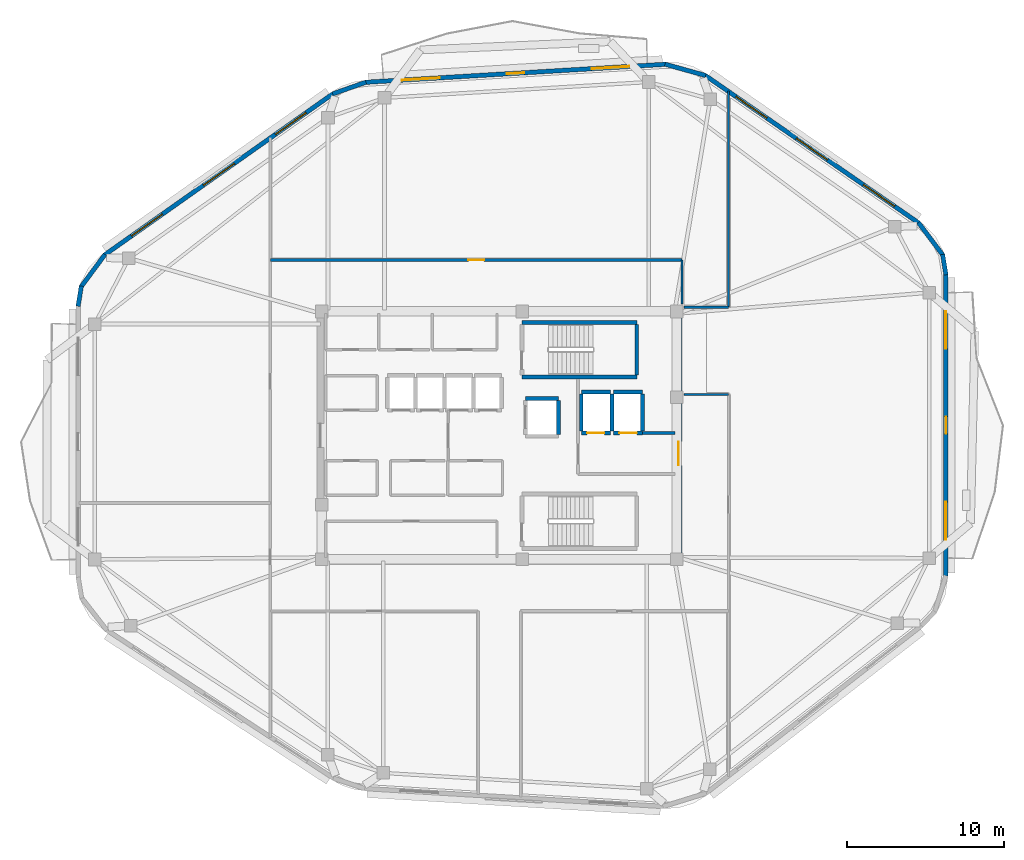
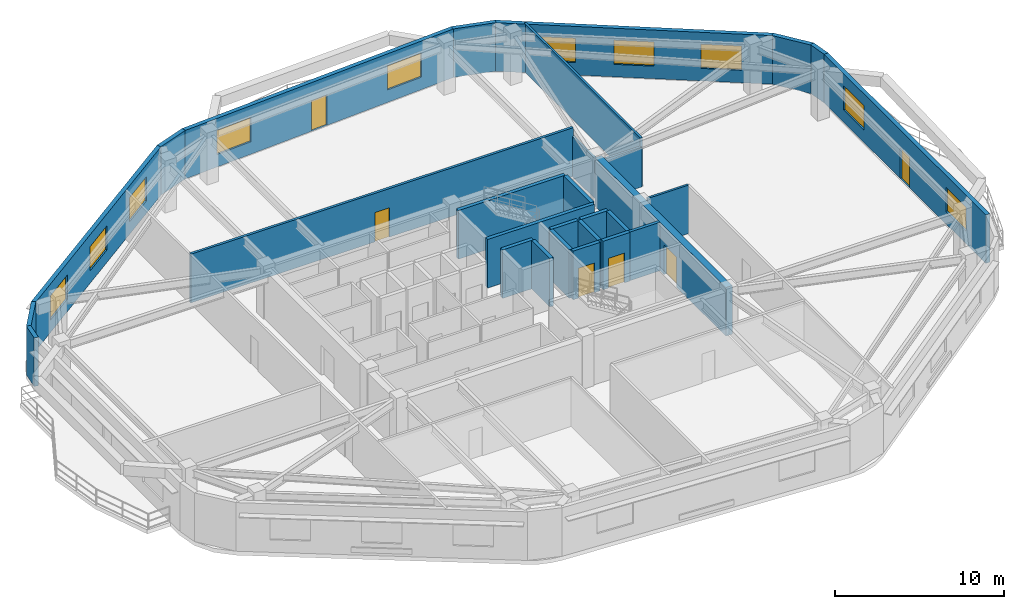
# One storey, part 5 of 9: 29 walls, 10 windows, 6 doors, 16 openings.
"""IFC4 building model written with IfcOpenShell, lengths in metres."""

from ifc_helpers import new_model, si_unit, direction, frame, frame_2d, origin, place, context, subcontext, project, spatial, rectangle, extrude, material, layer, layer_set, type_object, element, fill, save


model = new_model("IFC4")

# Units and contexts
model_context = context("Model", 3, precision=1e-05, world=origin(), true_north=direction((0.0, 1.0)))
body_context = subcontext(model_context, "Body", "Model", "MODEL_VIEW")
ifc_project = project(units=[si_unit("LENGTHUNIT", "METRE"), si_unit("AREAUNIT", "SQUARE_METRE"), si_unit("VOLUMEUNIT", "CUBIC_METRE"), si_unit("PLANEANGLEUNIT", "RADIAN"), si_unit("MASSUNIT", "GRAM", prefix="KILO")], contexts=[model_context])

# Site, building, storey
site_placement = place(None, origin())
site = spatial("IfcSite", under=ifc_project, at=site_placement, CompositionType="ELEMENT")
building_placement = place(site_placement, origin())
building = spatial("IfcBuilding", under=site, at=building_placement, Name="Zulverin Broadcast Headquarters", CompositionType="ELEMENT")
storey_placement = place(building_placement, frame((0.0, 0.0, 251.60009765625)))
storey = spatial("IfcBuildingStorey", under=building, at=storey_placement, Name="L64", CompositionType="ELEMENT", Elevation=251.60009765625)

# Wall, opening, door
ifc_material_1 = material(Name="Concrete C50/60", Category="concrete")
ifc_layer_1 = layer(ifc_material_1, 0.449951171875, Name="Concrete C50/60", Category="concrete")
ifc_layer_set_1 = layer_set([ifc_layer_1], Name="Concrete C50/60")
wall_type_1 = type_object("IfcWallType", Name="WL-CORE-450", PredefinedType="SHEAR", material=ifc_layer_set_1)
wall_1_placement = place(storey_placement, frame((48.375, 17.449951171875, 0.0), z_axis=(0.0, 0.0, 1.0), x_axis=(0.0, 1.0, 0.0)))
wall_1 = element("IfcWall", 1, at=wall_1_placement, inside=storey, type_object=wall_type_1, Name="L64 Core East Shear Wall", PredefinedType="SHEAR", context=body_context, shape_type="SweptSolid", body=[
    extrude(rectangle(XDim=15.5, YDim=0.449951171875, at=frame_2d((7.75, 0.0))), origin(), (0.0, 0.0, 1.0), 3.510009765625),
])
opening_1_placement = place(wall_1_placement, frame((5.85009765625, 0.0, 0.0)))
opening_1 = element("IfcOpeningElement", 2, at=opening_1_placement, cuts=wall_1, Name="Opening D-L64-CE1", PredefinedType="OPENING", context=body_context, shape_type="SweptSolid", body=[
    extrude(rectangle(XDim=1.5, YDim=2.14990234375, at=frame_2d((0.75, 1.074951171875))), frame((0.0, 0.23486328125, 0.0), z_axis=(0.0, -1.0, 0.0), x_axis=(1.0, 0.0, 0.0)), (0.0, 0.0, 1.0), 0.469970703125),
])
ifc_material_2 = material(Name="Fire-rated glazed steel frame", Category="steel")
door_type_1 = type_object("IfcDoorType", Name="DR-COR-1500", OperationType="DOUBLE_DOOR_SINGLE_SWING", PredefinedType="DOOR", material=ifc_material_2)
door_1_placement = place(opening_1_placement, origin())
door_1 = element("IfcDoor", 3, at=door_1_placement, inside=storey, type_object=door_type_1, Name="L64 Firefighting Lobby East Corridor Door", OperationType="DOUBLE_DOOR_SINGLE_SWING", OverallHeight=2.14990234375, OverallWidth=1.5, PredefinedType="DOOR", context=body_context, shape_type="SweptSolid", body=[
    extrude(rectangle(XDim=1.5, YDim=2.14990234375, at=frame_2d((0.75, 1.074951171875))), frame((0.0, 0.02490234375, 0.0), z_axis=(0.0, -1.0, 0.0), x_axis=(1.0, 0.0, 0.0)), (0.0, 0.0, 1.0), 0.050048828125),
])
fill(opening_1, door_1)

# Wall, openings, door, windows
ifc_material_3 = material(Name="Insulated pale-metal clad concrete spandrel C40/50", Category="concrete")
ifc_layer_2 = layer(ifc_material_3, 0.280029296875, Name="Insulated pale-metal clad concrete spandrel C40/50", Category="concrete")
ifc_layer_set_2 = layer_set([ifc_layer_2], Name="Insulated pale-metal clad concrete spandrel C40/50")
wall_type_2 = type_object("IfcWallType", Name="WL-EXT-280", PredefinedType="STANDARD", material=ifc_layer_set_2)
wall_2_placement = place(storey_placement, frame((65.360107421875, 16.2578125, 0.0), z_axis=(0.0, 0.0, 1.0), x_axis=(0.0, 1.0, 0.0)))
wall_2 = element("IfcWall", 4, at=wall_2_placement, inside=storey, type_object=wall_type_2, Name="L64 Pale-Metal Clad Spandrel Wall 3", PredefinedType="STANDARD", context=body_context, shape_type="SweptSolid", body=[
    extrude(rectangle(XDim=19.16796875, YDim=0.280029296875, at=frame_2d((9.583984375, 0.0))), origin(), (0.0, 0.0, 1.0), 3.510009765625),
])
opening_2_placement = place(wall_2_placement, frame((9.033935546875, 0.0, 0.0)))
opening_2 = element("IfcOpeningElement", 5, at=opening_2_placement, cuts=wall_2, Name="Opening D-L64-TR3", PredefinedType="OPENING", context=body_context, shape_type="SweptSolid", body=[
    extrude(rectangle(XDim=1.10009765625, YDim=2.199951171875, at=frame_2d((0.550048828125, 1.10009765625))), frame((0.0, 0.14990234375, 0.0), z_axis=(0.0, -1.0, 0.0), x_axis=(1.0, 0.0, 0.0)), (0.0, 0.0, 1.0), 0.300048828125),
])
opening_3_placement = place(wall_2_placement, frame((2.327880859375, 0.0, 0.89990234375)))
opening_3 = element("IfcOpeningElement", 6, at=opening_3_placement, cuts=wall_2, Name="Opening W-L64-E31", PredefinedType="OPENING", context=body_context, shape_type="SweptSolid", body=[
    extrude(rectangle(XDim=2.39990234375, YDim=1.75, at=frame_2d((1.199951171875, 0.875))), frame((0.0, 0.14990234375, 0.0), z_axis=(0.0, -1.0, 0.0), x_axis=(1.0, 0.0, 0.0)), (0.0, 0.0, 1.0), 0.300048828125),
])
opening_4_placement = place(wall_2_placement, frame((14.43994140625, 0.0, 0.89990234375)))
opening_4 = element("IfcOpeningElement", 7, at=opening_4_placement, cuts=wall_2, Name="Opening W-L64-E32", PredefinedType="OPENING", context=body_context, shape_type="SweptSolid", body=[
    extrude(rectangle(XDim=2.39990234375, YDim=1.75, at=frame_2d((1.199951171875, 0.875))), frame((0.0, 0.14990234375, 0.0), z_axis=(0.0, -1.0, 0.0), x_axis=(1.0, 0.0, 0.0)), (0.0, 0.0, 1.0), 0.300048828125),
])
ifc_material_4 = material(Name="Thermally broken aluminium glazed", Category="aluminium")
door_type_2 = type_object("IfcDoorType", Name="DR-TERR-1100", OperationType="SINGLE_SWING_RIGHT", PredefinedType="DOOR", material=ifc_material_4)
door_2_placement = place(opening_2_placement, origin())
door_2 = element("IfcDoor", 8, at=door_2_placement, inside=storey, type_object=door_type_2, Name="L64 Planted Terrace Glazed Access Door 3", OperationType="SINGLE_SWING_RIGHT", OverallHeight=2.199951171875, OverallWidth=1.10009765625, PredefinedType="DOOR", context=body_context, shape_type="SweptSolid", body=[
    extrude(rectangle(XDim=1.10009765625, YDim=2.199951171875, at=frame_2d((0.550048828125, 1.10009765625))), frame((0.0, 0.02490234375, 0.0), z_axis=(0.0, -1.0, 0.0), x_axis=(1.0, 0.0, 0.0)), (0.0, 0.0, 1.0), 0.050048828125),
])
fill(opening_2, door_2)
ifc_material_5 = material(Name="Pale anodized aluminium frame with solar-control low-E double glazing", Category="aluminium")
window_type = type_object("IfcWindowType", Name="WIN-RIB-2400", PartitioningType="SINGLE_PANEL", PredefinedType="WINDOW", material=ifc_material_5)
window_1_placement = place(opening_3_placement, origin())
window_1 = element("IfcWindow", 9, at=window_1_placement, inside=storey, type_object=window_type, Name="L64 Ribbon Glazing Window 3 1", OverallHeight=1.75, OverallWidth=2.39990234375, PartitioningType="SINGLE_PANEL", PredefinedType="WINDOW", context=body_context, shape_type="SweptSolid", body=[
    extrude(rectangle(XDim=2.39990234375, YDim=1.75, at=frame_2d((1.199951171875, 0.875))), frame((0.0, 0.030029296875, 0.0), z_axis=(0.0, -1.0, 0.0), x_axis=(1.0, 0.0, 0.0)), (0.0, 0.0, 1.0), 0.06005859375),
])
fill(opening_3, window_1)
window_2_placement = place(opening_4_placement, origin())
window_2 = element("IfcWindow", 10, at=window_2_placement, inside=storey, type_object=window_type, Name="L64 Ribbon Glazing Window 3 2", OverallHeight=1.75, OverallWidth=2.39990234375, PartitioningType="SINGLE_PANEL", PredefinedType="WINDOW", context=body_context, shape_type="SweptSolid", body=[
    extrude(rectangle(XDim=2.39990234375, YDim=1.75, at=frame_2d((1.199951171875, 0.875))), frame((0.0, 0.030029296875, 0.0), z_axis=(0.0, -1.0, 0.0), x_axis=(1.0, 0.0, 0.0)), (0.0, 0.0, 1.0), 0.06005859375),
])
fill(opening_4, window_2)

# Wall, openings, windows
wall_3_placement = place(storey_placement, frame((63.6513671875, 38.683349609375, 0.0), z_axis=(0.0, 0.0, 1.0), x_axis=(-0.822655095, 0.568540759022, 0.0)))
wall_3 = element("IfcWall", 11, at=wall_3_placement, inside=storey, type_object=wall_type_2, Name="L64 Pale-Metal Clad Spandrel Wall 4", PredefinedType="STANDARD", context=body_context, shape_type="SweptSolid", body=[
    extrude(rectangle(XDim=16.52783203125, YDim=0.280029296875, at=frame_2d((8.263916015625, 0.0))), origin(), (0.0, 0.0, 1.0), 3.510009765625),
])
opening_5_placement = place(wall_3_placement, frame((1.887939453125, 0.0, 0.89990234375)))
opening_5 = element("IfcOpeningElement", 12, at=opening_5_placement, cuts=wall_3, Name="Opening W-L64-E41", PredefinedType="OPENING", context=body_context, shape_type="SweptSolid", body=[
    extrude(rectangle(XDim=2.39990234375, YDim=1.75, at=frame_2d((1.199951171875, 0.875))), frame((0.0, 0.14990234375, 0.0), z_axis=(0.0, -1.0, 0.0), x_axis=(1.0, 0.0, 0.0)), (0.0, 0.0, 1.0), 0.300048828125),
])
opening_6_placement = place(wall_3_placement, frame((7.06396484375, 0.0, 0.89990234375)))
opening_6 = element("IfcOpeningElement", 13, at=opening_6_placement, cuts=wall_3, Name="Opening W-L64-E42", PredefinedType="OPENING", context=body_context, shape_type="SweptSolid", body=[
    extrude(rectangle(XDim=2.39990234375, YDim=1.75, at=frame_2d((1.199951171875, 0.875))), frame((0.0, 0.14990234375, 0.0), z_axis=(0.0, -1.0, 0.0), x_axis=(1.0, 0.0, 0.0)), (0.0, 0.0, 1.0), 0.300048828125),
])
opening_7_placement = place(wall_3_placement, frame((11.739990234375, 0.0, 0.89990234375)))
opening_7 = element("IfcOpeningElement", 14, at=opening_7_placement, cuts=wall_3, Name="Opening W-L64-E43", PredefinedType="OPENING", context=body_context, shape_type="SweptSolid", body=[
    extrude(rectangle(XDim=2.39990234375, YDim=1.75, at=frame_2d((1.199951171875, 0.875))), frame((0.0, 0.14990234375, 0.0), z_axis=(0.0, -1.0, 0.0), x_axis=(1.0, 0.0, 0.0)), (0.0, 0.0, 1.0), 0.300048828125),
])
window_3_placement = place(opening_5_placement, origin())
window_3 = element("IfcWindow", 15, at=window_3_placement, inside=storey, type_object=window_type, Name="L64 Ribbon Glazing Window 4 1", OverallHeight=1.75, OverallWidth=2.39990234375, PartitioningType="SINGLE_PANEL", PredefinedType="WINDOW", context=body_context, shape_type="SweptSolid", body=[
    extrude(rectangle(XDim=2.39990234375, YDim=1.75, at=frame_2d((1.199951171875, 0.875))), frame((0.0, 0.030029296875, 0.0), z_axis=(0.0, -1.0, 0.0), x_axis=(1.0, 0.0, 0.0)), (0.0, 0.0, 1.0), 0.06005859375),
])
fill(opening_5, window_3)
window_4_placement = place(opening_6_placement, origin())
window_4 = element("IfcWindow", 16, at=window_4_placement, inside=storey, type_object=window_type, Name="L64 Ribbon Glazing Window 4 2", OverallHeight=1.75, OverallWidth=2.39990234375, PartitioningType="SINGLE_PANEL", PredefinedType="WINDOW", context=body_context, shape_type="SweptSolid", body=[
    extrude(rectangle(XDim=2.39990234375, YDim=1.75, at=frame_2d((1.199951171875, 0.875))), frame((0.0, 0.030029296875, 0.0), z_axis=(0.0, -1.0, 0.0), x_axis=(1.0, 0.0, 0.0)), (0.0, 0.0, 1.0), 0.06005859375),
])
fill(opening_6, window_4)
window_5_placement = place(opening_7_placement, origin())
window_5 = element("IfcWindow", 17, at=window_5_placement, inside=storey, type_object=window_type, Name="L64 Ribbon Glazing Window 4 3", OverallHeight=1.75, OverallWidth=2.39990234375, PartitioningType="SINGLE_PANEL", PredefinedType="WINDOW", context=body_context, shape_type="SweptSolid", body=[
    extrude(rectangle(XDim=2.39990234375, YDim=1.75, at=frame_2d((1.199951171875, 0.875))), frame((0.0, 0.030029296875, 0.0), z_axis=(0.0, -1.0, 0.0), x_axis=(1.0, 0.0, 0.0)), (0.0, 0.0, 1.0), 0.06005859375),
])
fill(opening_7, window_5)

# Wall, openings, door, windows
wall_4_placement = place(storey_placement, frame((47.56591796875, 48.775390625, 0.0), z_axis=(0.0, 0.0, 1.0), x_axis=(-0.998202767485, -0.059926913695, 0.0)))
wall_4 = element("IfcWall", 18, at=wall_4_placement, inside=storey, type_object=wall_type_2, Name="L64 Pale-Metal Clad Spandrel Wall 5", PredefinedType="STANDARD", context=body_context, shape_type="SweptSolid", body=[
    extrude(rectangle(XDim=19.111083984375, YDim=0.280029296875, at=frame_2d((9.5556640625, 0.0))), origin(), (0.0, 0.0, 1.0), 3.510009765625),
])
opening_8_placement = place(wall_4_placement, frame((9.00537109375, 0.0, 0.0)))
opening_8 = element("IfcOpeningElement", 19, at=opening_8_placement, cuts=wall_4, Name="Opening D-L64-TR5", PredefinedType="OPENING", context=body_context, shape_type="SweptSolid", body=[
    extrude(rectangle(XDim=1.10009765625, YDim=2.199951171875, at=frame_2d((0.550048828125, 1.10009765625))), frame((0.0, 0.14990234375, 0.0), z_axis=(0.0, -1.0, 0.0), x_axis=(1.0, 0.0, 0.0)), (0.0, 0.0, 1.0), 0.300048828125),
])
opening_9_placement = place(wall_4_placement, frame((2.318603515625, 0.0, 0.89990234375)))
opening_9 = element("IfcOpeningElement", 20, at=opening_9_placement, cuts=wall_4, Name="Opening W-L64-E51", PredefinedType="OPENING", context=body_context, shape_type="SweptSolid", body=[
    extrude(rectangle(XDim=2.39990234375, YDim=1.75, at=frame_2d((1.199951171875, 0.875))), frame((0.0, 0.14990234375, 0.0), z_axis=(0.0, -1.0, 0.0), x_axis=(1.0, 0.0, 0.0)), (0.0, 0.0, 1.0), 0.300048828125),
])
opening_10_placement = place(wall_4_placement, frame((14.392333984375, 0.0, 0.89990234375)))
opening_10 = element("IfcOpeningElement", 21, at=opening_10_placement, cuts=wall_4, Name="Opening W-L64-E52", PredefinedType="OPENING", context=body_context, shape_type="SweptSolid", body=[
    extrude(rectangle(XDim=2.39990234375, YDim=1.75, at=frame_2d((1.199951171875, 0.875))), frame((0.0, 0.14990234375, 0.0), z_axis=(0.0, -1.0, 0.0), x_axis=(1.0, 0.0, 0.0)), (0.0, 0.0, 1.0), 0.300048828125),
])
door_3_placement = place(opening_8_placement, origin())
door_3 = element("IfcDoor", 22, at=door_3_placement, inside=storey, type_object=door_type_2, Name="L64 Planted Terrace Glazed Access Door 5", OperationType="SINGLE_SWING_RIGHT", OverallHeight=2.199951171875, OverallWidth=1.10009765625, PredefinedType="DOOR", context=body_context, shape_type="SweptSolid", body=[
    extrude(rectangle(XDim=1.10009765625, YDim=2.199951171875, at=frame_2d((0.550048828125, 1.10009765625))), frame((0.0, 0.02490234375, 0.0), z_axis=(0.0, -1.0, 0.0), x_axis=(1.0, 0.0, 0.0)), (0.0, 0.0, 1.0), 0.050048828125),
])
fill(opening_8, door_3)
window_6_placement = place(opening_9_placement, origin())
window_6 = element("IfcWindow", 23, at=window_6_placement, inside=storey, type_object=window_type, Name="L64 Ribbon Glazing Window 5 1", OverallHeight=1.75, OverallWidth=2.39990234375, PartitioningType="SINGLE_PANEL", PredefinedType="WINDOW", context=body_context, shape_type="SweptSolid", body=[
    extrude(rectangle(XDim=2.39990234375, YDim=1.75, at=frame_2d((1.199951171875, 0.875))), frame((0.0, 0.030029296875, 0.0), z_axis=(0.0, -1.0, 0.0), x_axis=(1.0, 0.0, 0.0)), (0.0, 0.0, 1.0), 0.06005859375),
])
fill(opening_9, window_6)
window_7_placement = place(opening_10_placement, origin())
window_7 = element("IfcWindow", 24, at=window_7_placement, inside=storey, type_object=window_type, Name="L64 Ribbon Glazing Window 5 2", OverallHeight=1.75, OverallWidth=2.39990234375, PartitioningType="SINGLE_PANEL", PredefinedType="WINDOW", context=body_context, shape_type="SweptSolid", body=[
    extrude(rectangle(XDim=2.39990234375, YDim=1.75, at=frame_2d((1.199951171875, 0.875))), frame((0.0, 0.030029296875, 0.0), z_axis=(0.0, -1.0, 0.0), x_axis=(1.0, 0.0, 0.0)), (0.0, 0.0, 1.0), 0.06005859375),
])
fill(opening_10, window_7)

# Wall, openings, windows
wall_5_placement = place(storey_placement, frame((26.443115234375, 46.91259765625, 0.0), z_axis=(0.0, 0.0, 1.0), x_axis=(-0.817024179766, -0.576603407619, 0.0)))
wall_5 = element("IfcWall", 25, at=wall_5_placement, inside=storey, type_object=wall_type_2, Name="L64 Pale-Metal Clad Spandrel Wall 6", PredefinedType="STANDARD", context=body_context, shape_type="SweptSolid", body=[
    extrude(rectangle(XDim=17.77978515625, YDim=0.280029296875, at=frame_2d((8.889892578125, 0.0))), origin(), (0.0, 0.0, 1.0), 3.510009765625),
])
opening_11_placement = place(wall_5_placement, frame((2.0966796875, 0.0, 0.89990234375)))
opening_11 = element("IfcOpeningElement", 26, at=opening_11_placement, cuts=wall_5, Name="Opening W-L64-E61", PredefinedType="OPENING", context=body_context, shape_type="SweptSolid", body=[
    extrude(rectangle(XDim=2.39990234375, YDim=1.75, at=frame_2d((1.199951171875, 0.875))), frame((0.0, 0.14990234375, 0.0), z_axis=(0.0, -1.0, 0.0), x_axis=(1.0, 0.0, 0.0)), (0.0, 0.0, 1.0), 0.300048828125),
])
opening_12_placement = place(wall_5_placement, frame((7.68994140625, 0.0, 0.89990234375)))
opening_12 = element("IfcOpeningElement", 27, at=opening_12_placement, cuts=wall_5, Name="Opening W-L64-E62", PredefinedType="OPENING", context=body_context, shape_type="SweptSolid", body=[
    extrude(rectangle(XDim=2.39990234375, YDim=1.75, at=frame_2d((1.199951171875, 0.875))), frame((0.0, 0.14990234375, 0.0), z_axis=(0.0, -1.0, 0.0), x_axis=(1.0, 0.0, 0.0)), (0.0, 0.0, 1.0), 0.300048828125),
])
opening_13_placement = place(wall_5_placement, frame((13.283203125, 0.0, 0.89990234375)))
opening_13 = element("IfcOpeningElement", 28, at=opening_13_placement, cuts=wall_5, Name="Opening W-L64-E63", PredefinedType="OPENING", context=body_context, shape_type="SweptSolid", body=[
    extrude(rectangle(XDim=2.39990234375, YDim=1.75, at=frame_2d((1.199951171875, 0.875))), frame((0.0, 0.14990234375, 0.0), z_axis=(0.0, -1.0, 0.0), x_axis=(1.0, 0.0, 0.0)), (0.0, 0.0, 1.0), 0.300048828125),
])
window_8_placement = place(opening_11_placement, origin())
window_8 = element("IfcWindow", 29, at=window_8_placement, inside=storey, type_object=window_type, Name="L64 Ribbon Glazing Window 6 1", OverallHeight=1.75, OverallWidth=2.39990234375, PartitioningType="SINGLE_PANEL", PredefinedType="WINDOW", context=body_context, shape_type="SweptSolid", body=[
    extrude(rectangle(XDim=2.39990234375, YDim=1.75, at=frame_2d((1.199951171875, 0.875))), frame((0.0, 0.030029296875, 0.0), z_axis=(0.0, -1.0, 0.0), x_axis=(1.0, 0.0, 0.0)), (0.0, 0.0, 1.0), 0.06005859375),
])
fill(opening_11, window_8)
window_9_placement = place(opening_12_placement, origin())
window_9 = element("IfcWindow", 30, at=window_9_placement, inside=storey, type_object=window_type, Name="L64 Ribbon Glazing Window 6 2", OverallHeight=1.75, OverallWidth=2.39990234375, PartitioningType="SINGLE_PANEL", PredefinedType="WINDOW", context=body_context, shape_type="SweptSolid", body=[
    extrude(rectangle(XDim=2.39990234375, YDim=1.75, at=frame_2d((1.199951171875, 0.875))), frame((0.0, 0.030029296875, 0.0), z_axis=(0.0, -1.0, 0.0), x_axis=(1.0, 0.0, 0.0)), (0.0, 0.0, 1.0), 0.06005859375),
])
fill(opening_12, window_9)
window_10_placement = place(opening_13_placement, origin())
window_10 = element("IfcWindow", 31, at=window_10_placement, inside=storey, type_object=window_type, Name="L64 Ribbon Glazing Window 6 3", OverallHeight=1.75, OverallWidth=2.39990234375, PartitioningType="SINGLE_PANEL", PredefinedType="WINDOW", context=body_context, shape_type="SweptSolid", body=[
    extrude(rectangle(XDim=2.39990234375, YDim=1.75, at=frame_2d((1.199951171875, 0.875))), frame((0.0, 0.030029296875, 0.0), z_axis=(0.0, -1.0, 0.0), x_axis=(1.0, 0.0, 0.0)), (0.0, 0.0, 1.0), 0.06005859375),
])
fill(opening_13, window_10)

# Walls
wall_6_placement = place(storey_placement, frame((65.36181640625, 35.4033203125, 0.0), z_axis=(0.0, 0.0, 1.0), x_axis=(-0.160271674114, 0.987072940809, 0.0)))
element("IfcWall", 32, at=wall_6_placement, inside=storey, type_object=wall_type_2, Name="L64 Wind-Shaped Corner Spandrel Wall 3-1", PredefinedType="STANDARD", context=body_context, shape_type="SweptSolid", body=[
    extrude(rectangle(XDim=1.314697265625, YDim=0.280029296875, at=frame_2d((0.6572265625, 0.0))), origin(), (0.0, 0.0, 1.0), 3.510009765625),
])
wall_7_placement = place(storey_placement, frame((65.17724609375, 36.63916015625, 0.0), z_axis=(0.0, 0.0, 1.0), x_axis=(-0.600436386467, 0.799672524104, 0.0)))
element("IfcWall", 33, at=wall_7_placement, inside=storey, type_object=wall_type_2, Name="L64 Wind-Shaped Corner Spandrel Wall 3-2", PredefinedType="STANDARD", context=body_context, shape_type="SweptSolid", body=[
    extrude(rectangle(XDim=2.595458984375, YDim=0.280029296875, at=frame_2d((1.2978515625, 0.0))), origin(), (0.0, 0.0, 1.0), 3.510009765625),
])
wall_8_placement = place(storey_placement, frame((50.096435546875, 48.060546875, 0.0), z_axis=(0.0, 0.0, 1.0), x_axis=(-0.963108887091, 0.269112005688, 0.0)))
element("IfcWall", 34, at=wall_8_placement, inside=storey, type_object=wall_type_2, Name="L64 Wind-Shaped Corner Spandrel Wall 4-1", PredefinedType="STANDARD", context=body_context, shape_type="SweptSolid", body=[
    extrude(rectangle(XDim=2.67529296875, YDim=0.280029296875, at=frame_2d((1.337646484375, 0.0))), origin(), (0.0, 0.0, 1.0), 3.510009765625),
])
wall_9_placement = place(storey_placement, frame((28.527099609375, 47.6376953125, 0.0), z_axis=(0.0, 0.0, 1.0), x_axis=(-0.943686979207, -0.330839667022, 0.0)))
element("IfcWall", 35, at=wall_9_placement, inside=storey, type_object=wall_type_2, Name="L64 Wind-Shaped Corner Spandrel Wall 5-1", PredefinedType="STANDARD", context=body_context, shape_type="SweptSolid", body=[
    extrude(rectangle(XDim=2.244873046875, YDim=0.280029296875, at=frame_2d((1.12255859375, 0.0))), origin(), (0.0, 0.0, 1.0), 3.510009765625),
])
wall_10_placement = place(storey_placement, frame((11.948486328125, 36.69189453125, 0.0), z_axis=(0.0, 0.0, 1.0), x_axis=(-0.595170751493, -0.803599263668, 0.0)))
element("IfcWall", 36, at=wall_10_placement, inside=storey, type_object=wall_type_2, Name="L64 Wind-Shaped Corner Spandrel Wall 6-1", PredefinedType="STANDARD", context=body_context, shape_type="SweptSolid", body=[
    extrude(rectangle(XDim=2.56982421875, YDim=0.280029296875, at=frame_2d((1.284912109375, 0.0))), origin(), (0.0, 0.0, 1.0), 3.510009765625),
])
wall_11_placement = place(storey_placement, frame((10.444580078125, 34.68798828125, 0.0), z_axis=(0.0, 0.0, 1.0), x_axis=(-0.158524605336, -0.987355027081, 0.0)))
element("IfcWall", 37, at=wall_11_placement, inside=storey, type_object=wall_type_2, Name="L64 Wind-Shaped Corner Spandrel Wall 6-2", PredefinedType="STANDARD", context=body_context, shape_type="SweptSolid", body=[
    extrude(rectangle(XDim=1.30126953125, YDim=0.280029296875, at=frame_2d((0.650634765625, 0.0))), origin(), (0.0, 0.0, 1.0), 3.510009765625),
])
ifc_material_6 = material(Name="Concrete C40/50", Category="concrete")
ifc_layer_3 = layer(ifc_material_6, 0.199951171875, Name="Concrete C40/50", Category="concrete")
ifc_layer_set_3 = layer_set([ifc_layer_3], Name="Concrete C40/50")
wall_type_3 = type_object("IfcWallType", Name="WL-FFL-200", PredefinedType="SOLIDWALL", material=ifc_layer_set_3)
wall_12_placement = place(storey_placement, frame((46.10009765625, 25.35009765625, 0.0), z_axis=(0.0, 0.0, 1.0), x_axis=(1.0, 0.0, 0.0)))
element("IfcWall", 38, at=wall_12_placement, inside=storey, type_object=wall_type_3, Name="L64 Firefighting Lift Lobby North Wall", PredefinedType="SOLIDWALL", context=body_context, shape_type="SweptSolid", body=[
    extrude(rectangle(XDim=2.0498046875, YDim=0.199951171875, at=frame_2d((1.02490234375, 0.0))), origin(), (0.0, 0.0, 1.0), 3.510009765625),
])
ifc_material_7 = material(Name="Fire-rated gypsum stud partition", Category="gypsum")
ifc_layer_4 = layer(ifc_material_7, 0.14990234375, Name="Fire-rated gypsum stud partition", Category="gypsum")
ifc_layer_set_4 = layer_set([ifc_layer_4], Name="Fire-rated gypsum stud partition")
wall_type_4 = type_object("IfcWallType", Name="WL-PART-150", PredefinedType="PARTITIONING", material=ifc_layer_set_4)
wall_13_placement = place(storey_placement, frame((51.550048828125, 33.35009765625, 0.0), z_axis=(0.0, 0.0, 1.0), x_axis=(0.0, 1.0, 0.0)))
element("IfcWall", 39, at=wall_13_placement, inside=storey, type_object=wall_type_4, Name="L64 Room Partition Wall RP-02", PredefinedType="PARTITIONING", context=body_context, shape_type="SweptSolid", body=[
    extrude(rectangle(XDim=13.726806640625, YDim=0.14990234375, at=frame_2d((6.86328125, 0.0))), origin(), (0.0, 0.0, 1.0), 3.510009765625),
])
wall_14_placement = place(storey_placement, frame((48.60009765625, 33.5400390625, 0.0), z_axis=(0.0, 0.0, 1.0), x_axis=(0.0, 1.0, 0.0)))
element("IfcWall", 40, at=wall_14_placement, inside=storey, type_object=wall_type_4, Name="L64 Gallery Partition Wall CG-03", PredefinedType="PARTITIONING", context=body_context, shape_type="SweptSolid", body=[
    extrude(rectangle(XDim=2.81005859375, YDim=0.14990234375, at=frame_2d((1.405029296875, 0.0))), origin(), (0.0, 0.0, 1.0), 2.892822265625),
])
wall_15_placement = place(storey_placement, frame((48.739990234375, 27.800048828125, 0.0), z_axis=(0.0, 0.0, 1.0), x_axis=(1.0, 0.0, 0.0)))
element("IfcWall", 41, at=wall_15_placement, inside=storey, type_object=wall_type_4, Name="L64 Gallery Partition Wall CG-10", PredefinedType="PARTITIONING", context=body_context, shape_type="SweptSolid", body=[
    extrude(rectangle(XDim=2.81005859375, YDim=0.14990234375, at=frame_2d((1.405029296875, 0.0))), origin(), (0.0, 0.0, 1.0), 3.510009765625),
])
wall_16_placement = place(storey_placement, frame((48.739990234375, 33.35009765625, 0.0), z_axis=(0.0, 0.0, 1.0), x_axis=(1.0, 0.0, 0.0)))
element("IfcWall", 42, at=wall_16_placement, inside=storey, type_object=wall_type_4, Name="L64 Room Partition Wall RP-11", PredefinedType="PARTITIONING", context=body_context, shape_type="SweptSolid", body=[
    extrude(rectangle(XDim=2.81005859375, YDim=0.14990234375, at=frame_2d((1.405029296875, 0.0))), origin(), (0.0, 0.0, 1.0), 2.892822265625),
])

# Wall, opening, door
ifc_material_8 = material(Name="Fire-rated acoustic stud wall", Category="gypsum")
ifc_layer_5 = layer(ifc_material_8, 0.175048828125, Name="Fire-rated acoustic stud wall", Category="gypsum")
ifc_layer_set_5 = layer_set([ifc_layer_5], Name="Fire-rated acoustic stud wall")
wall_type_5 = type_object("IfcWallType", Name="WL-PART-175", PredefinedType="PARTITIONING", material=ifc_layer_set_5)
wall_17_placement = place(storey_placement, frame((22.449951171875, 36.35009765625, 0.0), z_axis=(0.0, 0.0, 1.0), x_axis=(1.0, 0.0, 0.0)))
wall_17 = element("IfcWall", 43, at=wall_17_placement, inside=storey, type_object=wall_type_5, Name="L64 Gallery Partition Wall CG-12", PredefinedType="PARTITIONING", context=body_context, shape_type="SweptSolid", body=[
    extrude(rectangle(XDim=26.150146484375, YDim=0.175048828125, at=frame_2d((13.0751953125, 0.0))), origin(), (0.0, 0.0, 1.0), 3.510009765625),
])
opening_14_placement = place(wall_17_placement, frame((12.574951171875, 0.0, 0.0)))
opening_14 = element("IfcOpeningElement", 44, at=opening_14_placement, cuts=wall_17, Name="Opening D-L64-01", PredefinedType="OPENING", context=body_context, shape_type="SweptSolid", body=[
    extrude(rectangle(XDim=1.0, YDim=2.1201171875, at=frame_2d((0.5, 1.06005859375))), frame((0.0, 0.097412109375, 0.0), z_axis=(0.0, -1.0, 0.0), x_axis=(1.0, 0.0, 0.0)), (0.0, 0.0, 1.0), 0.195068359375),
])
ifc_material_9 = material(Name="Hardwood veneer acoustic leaf", Category="wood")
door_type_3 = type_object("IfcDoorType", Name="DR-OFF-1000", OperationType="SINGLE_SWING_LEFT", PredefinedType="DOOR", material=ifc_material_9)
door_4_placement = place(opening_14_placement, origin())
door_4 = element("IfcDoor", 45, at=door_4_placement, inside=storey, type_object=door_type_3, Name="L64 Global Broadcast Command Workplace Door", OperationType="SINGLE_SWING_RIGHT", OverallHeight=2.1201171875, OverallWidth=1.0, PredefinedType="DOOR", context=body_context, shape_type="SweptSolid", body=[
    extrude(rectangle(XDim=1.0, YDim=2.1201171875, at=frame_2d((0.5, 1.06005859375))), frame((0.0, 0.02490234375, 0.0), z_axis=(0.0, -1.0, 0.0), x_axis=(1.0, 0.0, 0.0)), (0.0, 0.0, 1.0), 0.050048828125),
])
fill(opening_14, door_4)

# Walls
ifc_layer_6 = layer(ifc_material_1, 0.25, Name="Concrete C50/60", Category="concrete")
ifc_layer_set_6 = layer_set([ifc_layer_6], Name="Concrete C50/60")
wall_type_6 = type_object("IfcWallType", Name="WL-SHAFT-250", PredefinedType="SHEAR", material=ifc_layer_set_6)
for number, where, z_axis, x_axis, name in (
    (46, (38.425048828125, 28.925048828125, 0.0), (0.0, 0.0, 1.0), (1.0, 0.0, 0.0), "L64 ST-1 Enclosure Wall S"),
    (47, (38.425048828125, 32.375, 0.0), (0.0, 0.0, 1.0), (1.0, 0.0, 0.0), "L64 ST-1 Enclosure Wall N"),
):
    element("IfcWall", number, at=place(storey_placement, frame(where, z_axis=z_axis, x_axis=x_axis)), inside=storey, type_object=wall_type_6, Name=name, PredefinedType="SHEAR", context=body_context, shape_type="SweptSolid", body=[
        extrude(rectangle(XDim=7.300048828125, YDim=0.25, at=frame_2d((3.64990234375, 0.0))), origin(), (0.0, 0.0, 1.0), 3.510009765625),
    ])
wall_18_placement = place(storey_placement, frame((45.72509765625, 29.050048828125, 0.0), z_axis=(0.0, 0.0, 1.0), x_axis=(0.0, 1.0, 0.0)))
element("IfcWall", 48, at=wall_18_placement, inside=storey, type_object=wall_type_6, Name="L64 ST-1 Enclosure Wall E", PredefinedType="SHEAR", context=body_context, shape_type="SweptSolid", body=[
    extrude(rectangle(XDim=3.199951171875, YDim=0.25, at=frame_2d((1.60009765625, 0.0))), origin(), (0.0, 0.0, 1.0), 3.510009765625),
])

# Wall, opening, door
wall_19_placement = place(storey_placement, frame((42.199951171875, 25.35009765625, 0.0), z_axis=(0.0, 0.0, 1.0), x_axis=(1.0, 0.0, 0.0)))
wall_19 = element("IfcWall", 49, at=wall_19_placement, inside=storey, type_object=wall_type_6, Name="L64 Lift FFL-1 Shaft Wall S", PredefinedType="SHEAR", context=body_context, shape_type="SweptSolid", body=[
    extrude(rectangle(XDim=1.85009765625, YDim=0.25, at=frame_2d((0.925048828125, 0.0))), origin(), (0.0, 0.0, 1.0), 3.510009765625),
])
opening_15_placement = place(wall_19_placement, frame((0.375, 0.0, 0.0)))
opening_15 = element("IfcOpeningElement", 50, at=opening_15_placement, cuts=wall_19, Name="Opening LD-FFL-1-L64", PredefinedType="OPENING", context=body_context, shape_type="SweptSolid", body=[
    extrude(rectangle(XDim=1.10009765625, YDim=2.14990234375, at=frame_2d((0.550048828125, 1.074951171875))), frame((0.0, 0.135009765625, 0.0), z_axis=(0.0, -1.0, 0.0), x_axis=(1.0, 0.0, 0.0)), (0.0, 0.0, 1.0), 0.27001953125),
])
ifc_material_10 = material(Name="Fire-rated stainless landing door", Category="steel")
door_type_4 = type_object("IfcDoorType", Name="LD-FFL-1100", OperationType="DOUBLE_DOOR_SLIDING", PredefinedType="DOOR", material=ifc_material_10)
door_5_placement = place(opening_15_placement, origin())
door_5 = element("IfcDoor", 51, at=door_5_placement, inside=storey, type_object=door_type_4, Name="L64 Lift FFL-1 Sliding Landing Door", OperationType="DOUBLE_DOOR_SLIDING", OverallHeight=2.14990234375, OverallWidth=1.10009765625, PredefinedType="DOOR", context=body_context, shape_type="SweptSolid", body=[
    extrude(rectangle(XDim=1.10009765625, YDim=2.14990234375, at=frame_2d((0.550048828125, 1.074951171875))), frame((0.0, 0.02490234375, 0.0), z_axis=(0.0, -1.0, 0.0), x_axis=(1.0, 0.0, 0.0)), (0.0, 0.0, 1.0), 0.050048828125),
])
fill(opening_15, door_5)

# Walls
wall_20_placement = place(storey_placement, frame((42.199951171875, 27.949951171875, 0.0), z_axis=(0.0, 0.0, 1.0), x_axis=(1.0, 0.0, 0.0)))
element("IfcWall", 52, at=wall_20_placement, inside=storey, type_object=wall_type_6, Name="L64 Lift FFL-1 Shaft Wall N", PredefinedType="SHEAR", context=body_context, shape_type="SweptSolid", body=[
    extrude(rectangle(XDim=1.85009765625, YDim=0.25, at=frame_2d((0.925048828125, 0.0))), origin(), (0.0, 0.0, 1.0), 3.510009765625),
])
for number, where, z_axis, x_axis, name in (
    (53, (42.199951171875, 25.469970703125, 0.0), (0.0, 0.0, 1.0), (0.0, 1.0, 0.0), "L64 Lift FFL-1 Shaft Wall W"),
    (54, (44.14990234375, 25.469970703125, 0.0), (0.0, 0.0, 1.0), (0.0, 1.0, 0.0), "L64 Lift FFL-1 Shaft Wall E"),
):
    element("IfcWall", number, at=place(storey_placement, frame(where, z_axis=z_axis, x_axis=x_axis)), inside=storey, type_object=wall_type_6, Name=name, PredefinedType="SHEAR", context=body_context, shape_type="SweptSolid", body=[
        extrude(rectangle(XDim=2.360107421875, YDim=0.25, at=frame_2d((1.18017578125, 0.0))), origin(), (0.0, 0.0, 1.0), 3.510009765625),
    ])

# Wall, opening, door
wall_21_placement = place(storey_placement, frame((44.25, 25.35009765625, 0.0), z_axis=(0.0, 0.0, 1.0), x_axis=(1.0, 0.0, 0.0)))
wall_21 = element("IfcWall", 55, at=wall_21_placement, inside=storey, type_object=wall_type_6, Name="L64 Lift FFL-2 Shaft Wall S", PredefinedType="SHEAR", context=body_context, shape_type="SweptSolid", body=[
    extrude(rectangle(XDim=1.85009765625, YDim=0.25, at=frame_2d((0.925048828125, 0.0))), origin(), (0.0, 0.0, 1.0), 3.510009765625),
])
opening_16_placement = place(wall_21_placement, frame((0.375, 0.0, 0.0)))
opening_16 = element("IfcOpeningElement", 56, at=opening_16_placement, cuts=wall_21, Name="Opening LD-FFL-2-L64", PredefinedType="OPENING", context=body_context, shape_type="SweptSolid", body=[
    extrude(rectangle(XDim=1.10009765625, YDim=2.14990234375, at=frame_2d((0.550048828125, 1.074951171875))), frame((0.0, 0.135009765625, 0.0), z_axis=(0.0, -1.0, 0.0), x_axis=(1.0, 0.0, 0.0)), (0.0, 0.0, 1.0), 0.27001953125),
])
door_6_placement = place(opening_16_placement, origin())
door_6 = element("IfcDoor", 57, at=door_6_placement, inside=storey, type_object=door_type_4, Name="L64 Lift FFL-2 Sliding Landing Door", OperationType="DOUBLE_DOOR_SLIDING", OverallHeight=2.14990234375, OverallWidth=1.10009765625, PredefinedType="DOOR", context=body_context, shape_type="SweptSolid", body=[
    extrude(rectangle(XDim=1.10009765625, YDim=2.14990234375, at=frame_2d((0.550048828125, 1.074951171875))), frame((0.0, 0.02490234375, 0.0), z_axis=(0.0, -1.0, 0.0), x_axis=(1.0, 0.0, 0.0)), (0.0, 0.0, 1.0), 0.050048828125),
])
fill(opening_16, door_6)

# Walls
wall_22_placement = place(storey_placement, frame((44.25, 27.949951171875, 0.0), z_axis=(0.0, 0.0, 1.0), x_axis=(1.0, 0.0, 0.0)))
element("IfcWall", 58, at=wall_22_placement, inside=storey, type_object=wall_type_6, Name="L64 Lift FFL-2 Shaft Wall N", PredefinedType="SHEAR", context=body_context, shape_type="SweptSolid", body=[
    extrude(rectangle(XDim=1.85009765625, YDim=0.25, at=frame_2d((0.925048828125, 0.0))), origin(), (0.0, 0.0, 1.0), 3.510009765625),
])
wall_23_placement = place(storey_placement, frame((46.10009765625, 25.469970703125, 0.0), z_axis=(0.0, 0.0, 1.0), x_axis=(0.0, 1.0, 0.0)))
element("IfcWall", 59, at=wall_23_placement, inside=storey, type_object=wall_type_6, Name="L64 Lift FFL-2 Shaft Wall E", PredefinedType="SHEAR", context=body_context, shape_type="SweptSolid", body=[
    extrude(rectangle(XDim=2.360107421875, YDim=0.25, at=frame_2d((1.18017578125, 0.0))), origin(), (0.0, 0.0, 1.0), 3.510009765625),
])
wall_24_placement = place(storey_placement, frame((38.64990234375, 27.550048828125, 0.0), z_axis=(0.0, 0.0, 1.0), x_axis=(1.0, 0.0, 0.0)))
element("IfcWall", 60, at=wall_24_placement, inside=storey, type_object=wall_type_6, Name="L64 Lift SVL-1 Shaft Wall N", PredefinedType="SHEAR", context=body_context, shape_type="SweptSolid", body=[
    extrude(rectangle(XDim=2.10009765625, YDim=0.25, at=frame_2d((1.050048828125, 0.0))), origin(), (0.0, 0.0, 1.0), 3.510009765625),
])
wall_25_placement = place(storey_placement, frame((40.75, 25.27001953125, 0.0), z_axis=(0.0, 0.0, 1.0), x_axis=(0.0, 1.0, 0.0)))
element("IfcWall", 61, at=wall_25_placement, inside=storey, type_object=wall_type_6, Name="L64 Lift SVL-1 Shaft Wall E", PredefinedType="SHEAR", context=body_context, shape_type="SweptSolid", body=[
    extrude(rectangle(XDim=2.159912109375, YDim=0.25, at=frame_2d((1.080078125, 0.0))), origin(), (0.0, 0.0, 1.0), 3.510009765625),
])

save(model, "model.ifc")
